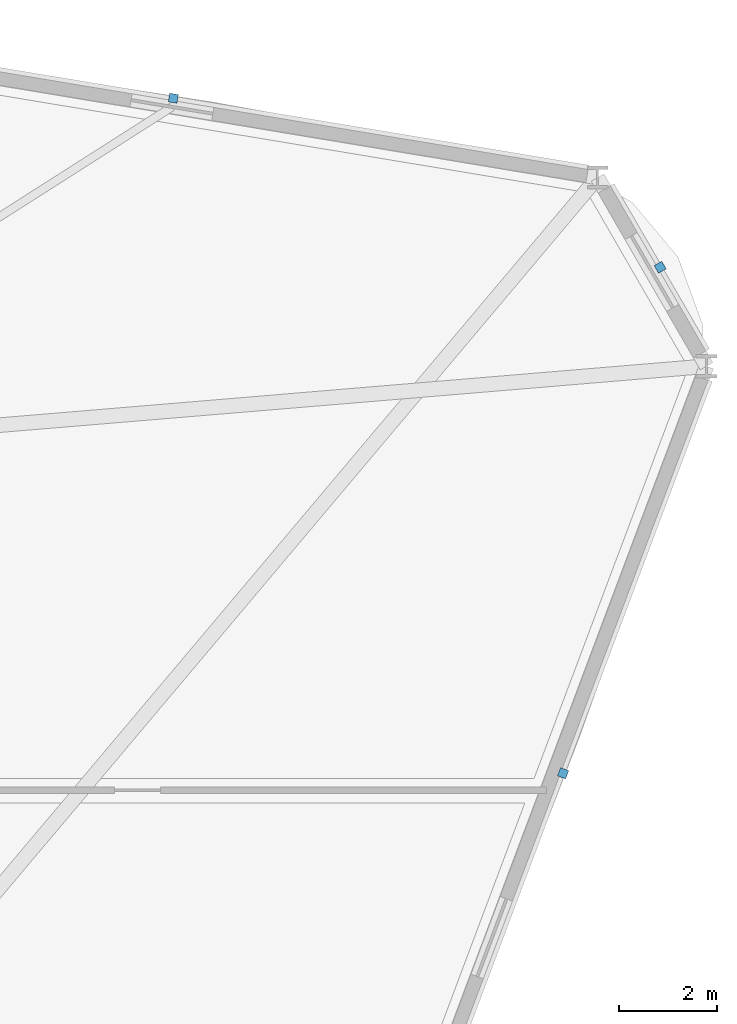
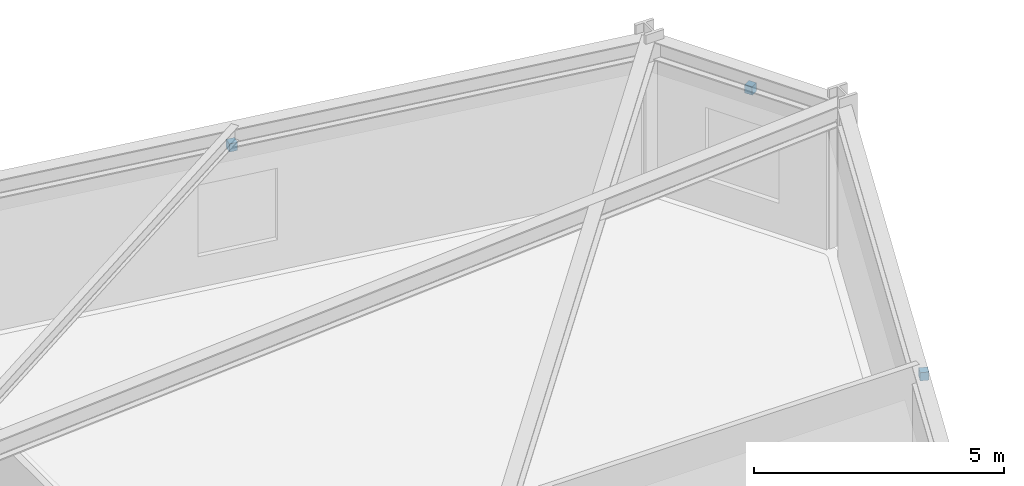
# One storey, part 17 of 20: 3 discrete accessories.
"""IFC4 building model written with IfcOpenShell, lengths in metres."""

import ifcopenshell
import ifcopenshell.guid

model = None  # the IFC model being written
_history = None  # IfcOwnerHistory: only IFC2X3 demands one
_inside = {}  # id of a spatial element -> (the spatial element, [elements in it])
_under = {}  # id of a project, library or spatial element -> (it, [spatial elements below it])
_declared = {}  # id of a project -> (the project, [libraries it declares])
_typed = {}  # id of a type object -> (the type object, [elements of that type])
_made_of = {}  # id of a material, layer set ... -> (it, [elements and type objects made of it])


def new_model(schema):
    """Start an empty IFC model of exactly this schema.

    Asked for "IFC4X3", IfcOpenShell would pick the latest addendum, in which some entities
    have other attributes; the version numbers below select the first issue.
    IFC2X3 requires an IfcOwnerHistory on every rooted entity: one is made here for all.
    """
    global model, _history
    if schema == "IFC4X3":
        model = ifcopenshell.file(schema_version=(4, 3, 0, 0))
    else:
        model = ifcopenshell.file(schema=schema)
    _inside.clear()
    _under.clear()
    _declared.clear()
    _typed.clear()
    _made_of.clear()
    _history = None
    if model.schema == "IFC2X3":
        org = make("IfcOrganization", Name="unknown")
        user = make(
            "IfcPersonAndOrganization",
            ThePerson=make("IfcPerson", FamilyName="unknown"),
            TheOrganization=org,
        )
        app = make(
            "IfcApplication",
            ApplicationDeveloper=org,
            Version="unknown",
            ApplicationFullName="unknown",
            ApplicationIdentifier="unknown",
        )
        _history = make(
            "IfcOwnerHistory",
            OwningUser=user,
            OwningApplication=app,
            ChangeAction="ADDED",
            CreationDate=0,
        )
    return model


def make(cls, **values):
    """One entity of the class cls with the attributes given. An attribute that is None is left unset."""
    return model.create_entity(
        cls, **{name: value for name, value in values.items() if value is not None}
    )


def rooted(cls, **values):
    """An entity with a GlobalId (a new one), such as an element, a storey or a relation."""
    return make(cls, GlobalId=ifcopenshell.guid.new(), OwnerHistory=_history, **values)


def si_unit(unit_type, name, prefix=None):
    """IfcSIUnit, for example si_unit("LENGTHUNIT", "METRE", prefix="MILLI")."""
    return make("IfcSIUnit", UnitType=unit_type, Prefix=prefix, Name=name)


def derived_unit(unit_type, elements):
    """IfcDerivedUnit: a product of units, each with its exponent."""
    return make(
        "IfcDerivedUnit",
        Elements=[
            make("IfcDerivedUnitElement", Unit=unit, Exponent=power)
            for unit, power in elements
        ],
        UnitType=unit_type,
    )


def assignment(units):
    """IfcUnitAssignment: the units of a project."""
    return None if units is None else make("IfcUnitAssignment", Units=units)


def point(xyz):
    """IfcCartesianPoint."""
    return None if xyz is None else make("IfcCartesianPoint", Coordinates=xyz)


def direction(xyz):
    """IfcDirection."""
    return None if xyz is None else make("IfcDirection", DirectionRatios=xyz)


def frame(location, z_axis=None, x_axis=None):
    """IfcAxis2Placement3D, a coordinate frame: its origin and axes. An axis left out is left unset."""
    return make(
        "IfcAxis2Placement3D",
        Location=point(location),
        Axis=direction(z_axis),
        RefDirection=direction(x_axis),
    )


def frame_2d(location, x_axis=None):
    """IfcAxis2Placement2D, a coordinate frame in the plane: its origin and x axis."""
    return make(
        "IfcAxis2Placement2D", Location=point(location), RefDirection=direction(x_axis)
    )


def origin():
    """The frame at (0, 0, 0) with its axes left unset."""
    return frame((0.0, 0.0, 0.0))


def origin_2d():
    """The frame at (0, 0) in the plane with its x axis left unset."""
    return frame_2d((0.0, 0.0))


def place(relative_to, where):
    """IfcLocalPlacement: puts the frame where relative to a parent placement (None: the world)."""
    return make(
        "IfcLocalPlacement", PlacementRelTo=relative_to, RelativePlacement=where
    )


def context(
    kind, dimensions, precision=None, world=None, true_north=None, identifier=None
):
    """IfcGeometricRepresentationContext, for example the 3D "Model" context."""
    return make(
        "IfcGeometricRepresentationContext",
        ContextIdentifier=identifier,
        ContextType=kind,
        CoordinateSpaceDimension=dimensions,
        Precision=precision,
        WorldCoordinateSystem=world,
        TrueNorth=true_north,
    )


def subcontext(parent, identifier, kind, view, scale=None):
    """IfcGeometricRepresentationSubContext, for example "Body" below "Model"."""
    return make(
        "IfcGeometricRepresentationSubContext",
        ContextIdentifier=identifier,
        ContextType=kind,
        ParentContext=parent,
        TargetScale=scale,
        TargetView=view,
    )


def project(units=None, contexts=None):
    """IfcProject with its units and contexts."""
    return rooted(
        "IfcProject",
        Name="project",
        RepresentationContexts=contexts,
        UnitsInContext=assignment(units),
    )


def spatial(cls, under=None, at=None, **own):
    """A site, building, storey or space (cls), placed at a placement, below another one or the project."""
    s = rooted(cls, ObjectPlacement=at, **own)
    if under is not None:
        _under.setdefault(under.id(), (under, []))[1].append(s)
    return s


def profile(cls, at=None, kind="AREA", **sizes):
    """A parametric profile (cls). Its sizes go by their IFC names, for example OverallWidth=200.0."""
    return make(cls, ProfileType=kind, Position=at, **sizes)


def rectangle(**sizes):
    """IfcRectangleProfileDef."""
    return profile("IfcRectangleProfileDef", **sizes)


def extrude(swept, where, along, depth):
    """IfcExtrudedAreaSolid: the profile swept, set in the frame where, extruded along a direction by depth."""
    return make(
        "IfcExtrudedAreaSolid",
        SweptArea=swept,
        Position=where,
        ExtrudedDirection=direction(along),
        Depth=depth,
    )


def shape(context_of_items, identifier, shape_type, items):
    """IfcShapeRepresentation: the items that make up one representation, for example the "Body"."""
    return make(
        "IfcShapeRepresentation",
        ContextOfItems=context_of_items,
        RepresentationIdentifier=identifier,
        RepresentationType=shape_type,
        Items=items,
    )


def source(mapping_origin, context_of_items, identifier, shape_type, items):
    """IfcRepresentationMap: a shape defined once, which mapped items show again and again."""
    return make(
        "IfcRepresentationMap",
        MappingOrigin=mapping_origin,
        MappedRepresentation=shape(context_of_items, identifier, shape_type, items),
    )


def transform(
    local_origin,
    x_axis=None,
    y_axis=None,
    z_axis=None,
    scale=None,
    scale2=None,
    scale3=None,
    uniform=True,
):
    """IfcCartesianTransformationOperator3D, or its non-uniform kind. x_axis, y_axis, z_axis: its Axis1, 2, 3."""
    if uniform:
        return make(
            "IfcCartesianTransformationOperator3D",
            Axis1=direction(x_axis),
            Axis2=direction(y_axis),
            LocalOrigin=point(local_origin),
            Scale=scale,
            Axis3=direction(z_axis),
        )
    return make(
        "IfcCartesianTransformationOperator3DnonUniform",
        Axis1=direction(x_axis),
        Axis2=direction(y_axis),
        LocalOrigin=point(local_origin),
        Scale=scale,
        Axis3=direction(z_axis),
        Scale2=scale2,
        Scale3=scale3,
    )


def mapped(mapping_source, mapping_target):
    """IfcMappedItem: shows the shape of a source again, moved by a transform."""
    return make(
        "IfcMappedItem", MappingSource=mapping_source, MappingTarget=mapping_target
    )


def material(Name=None, Category=None):
    """IfcMaterial."""
    return make("IfcMaterial", Name=Name, Category=Category)


def made_of(thing, what):
    """Note that an element or type object is made of a material, layer set ...; save() writes the relation."""
    if what is not None:
        _made_of.setdefault(what.id(), (what, []))[1].append(thing)
    return thing


def type_object(cls, material=None, **own):
    """A type object (cls), such as IfcWallType, which elements share."""
    return made_of(rooted(cls, **own), material)


def element(
    cls,
    number,
    at=None,
    inside=None,
    cuts=None,
    type_object=None,
    material=None,
    context=None,
    identifier="Body",
    shape_type=None,
    held_by="IfcProductDefinitionShape",
    body=None,
    shapes=None,
    **own,
):
    """One element of the class cls, such as IfcWall. Its Tag is "e" and its number.

    at: its placement. inside: the storey or other place that contains it. cuts: it is an
    opening in that element (IfcRelVoidsElement). A single representation is given by context,
    identifier, shape_type and body (its items); several are given by shapes. held_by: the class
    of the entity that holds the representations. save() writes the other relations.
    """
    e = rooted(cls, Tag="e%d" % number, ObjectPlacement=at, **own)
    if body is not None:
        shapes = [shape(context, identifier, shape_type, body)]
    if shapes is not None:
        e.Representation = make(held_by, Representations=shapes)
    if inside is not None:
        _inside.setdefault(inside.id(), (inside, []))[1].append(e)
    if cuts is not None:
        rooted(
            "IfcRelVoidsElement", RelatingBuildingElement=cuts, RelatedOpeningElement=e
        )
    if type_object is not None:
        _typed.setdefault(type_object.id(), (type_object, []))[1].append(e)
    return made_of(e, material)


def aggregate(whole, parts):
    """IfcRelAggregates: a whole, such as a stair, and the parts it consists of."""
    return rooted("IfcRelAggregates", RelatingObject=whole, RelatedObjects=parts)


def save(model, path):
    """Write the relations noted so far, then the file.

    IfcRelAggregates (storeys below a building ...), IfcRelContainedInSpatialStructure (elements
    in a storey), IfcRelDefinesByType, IfcRelAssociatesMaterial and IfcRelDeclares: one each for
    every whole, place, type object, material and project.
    """
    for whole, parts in _under.values():
        aggregate(whole, parts)
    for where, things in _inside.values():
        rooted(
            "IfcRelContainedInSpatialStructure",
            RelatedElements=things,
            RelatingStructure=where,
        )
    for kind, things in _typed.values():
        rooted("IfcRelDefinesByType", RelatedObjects=things, RelatingType=kind)
    for what, things in _made_of.values():
        rooted("IfcRelAssociatesMaterial", RelatedObjects=things, RelatingMaterial=what)
    for by, libraries in _declared.values():
        rooted("IfcRelDeclares", RelatingContext=by, RelatedDefinitions=libraries)
    model.write(path)


model = new_model("IFC4")

# Units and contexts
model_context = context("Model", 3, precision=1e-05, world=origin(), true_north=direction((0.0, 1.0)))
body_context = subcontext(model_context, "Body", "Model", "MODEL_VIEW")
ifc_project = project(units=[si_unit("LENGTHUNIT", "METRE"), si_unit("AREAUNIT", "SQUARE_METRE"), si_unit("VOLUMEUNIT", "CUBIC_METRE"), si_unit("PLANEANGLEUNIT", "RADIAN"), si_unit("MASSUNIT", "GRAM", prefix="KILO"), derived_unit("THERMALTRANSMITTANCEUNIT", [(si_unit("POWERUNIT", "WATT"), 1), (si_unit("LENGTHUNIT", "METRE"), -2), (si_unit("THERMODYNAMICTEMPERATUREUNIT", "KELVIN"), -1)])], contexts=[model_context])

# Site, building, storey
site_placement = place(None, origin())
site = spatial("IfcSite", under=ifc_project, at=site_placement, CompositionType="ELEMENT")
building_placement = place(site_placement, origin())
building = spatial("IfcBuilding", under=site, at=building_placement, Name="Korsvarv Bourse and Concert Hall", CompositionType="ELEMENT")
storey_placement = place(building_placement, frame((0.0, 0.0, 75.60009765625)))
storey = spatial("IfcBuildingStorey", under=building, at=storey_placement, Name="L18", CompositionType="ELEMENT", Elevation=75.60009765625)

# Discrete accessories
ifc_material = material(Name="Stainless Steel S355 facade outrigger bracket", Category="steel")
discrete_accessory_type = type_object("IfcDiscreteAccessoryType", Name="ACC-BRK-1", PredefinedType="BRACKET", material=ifc_material)
shared_shape = source(origin(), body_context, "Body", "SweptSolid", [
    extrude(rectangle(XDim=0.179931640625, YDim=0.179931640625, at=origin_2d()), origin(), (0.0, 0.0, 1.0), 0.199951171875),
])
for number, where, z_axis, x_axis, name in (
    (1, (66.40966796875, 51.132080078125, 2.9697265625), (0.0, 0.0, 1.0), (-0.5, 0.866025403784, 0.0), "L18 terracotta sunshade bracket EW-L18-B01"),
    (2, (56.427734375, 54.597412109375, 2.9697265625), (0.0, 0.0, 1.0), (-0.986515089987, 0.163670330935, 0.0), "L18 terracotta sunshade bracket EW-L18-B02"),
    (3, (64.419921875, 40.7548828125, 2.9697265625), (0.0, 0.0, 1.0), (0.351514880558, 0.936182294613, 0.0), "L18 terracotta sunshade bracket EW-L18-B12"),
):
    element("IfcDiscreteAccessory", number, at=place(storey_placement, frame(where, z_axis=z_axis, x_axis=x_axis)), inside=storey, type_object=discrete_accessory_type, Name=name, PredefinedType="BRACKET", context=body_context, shape_type="MappedRepresentation", body=[
        mapped(shared_shape, transform((0.0, 0.0, 0.0), scale=1.0)),
    ])

save(model, "model.ifc")
